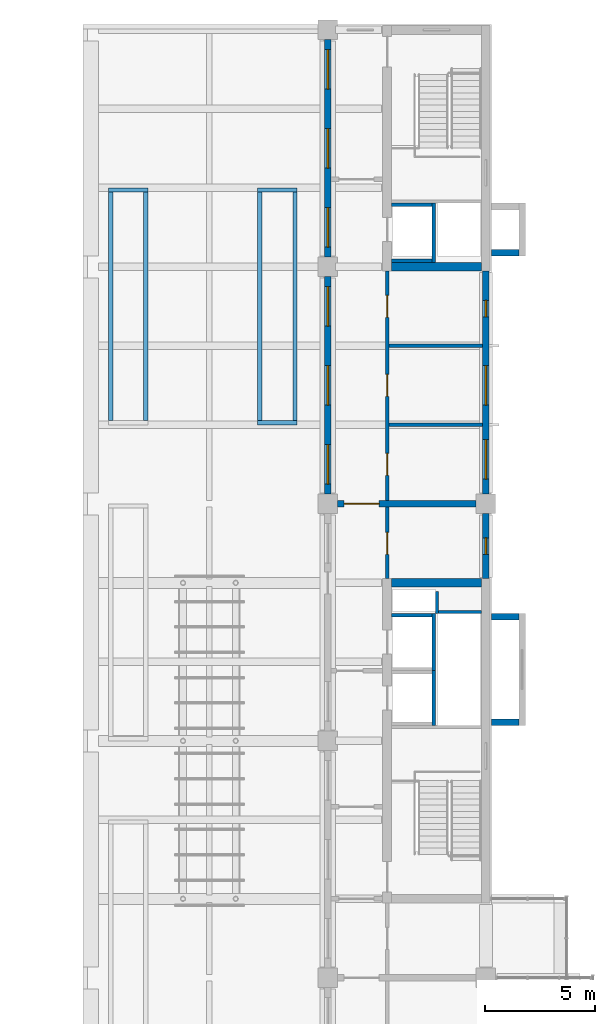
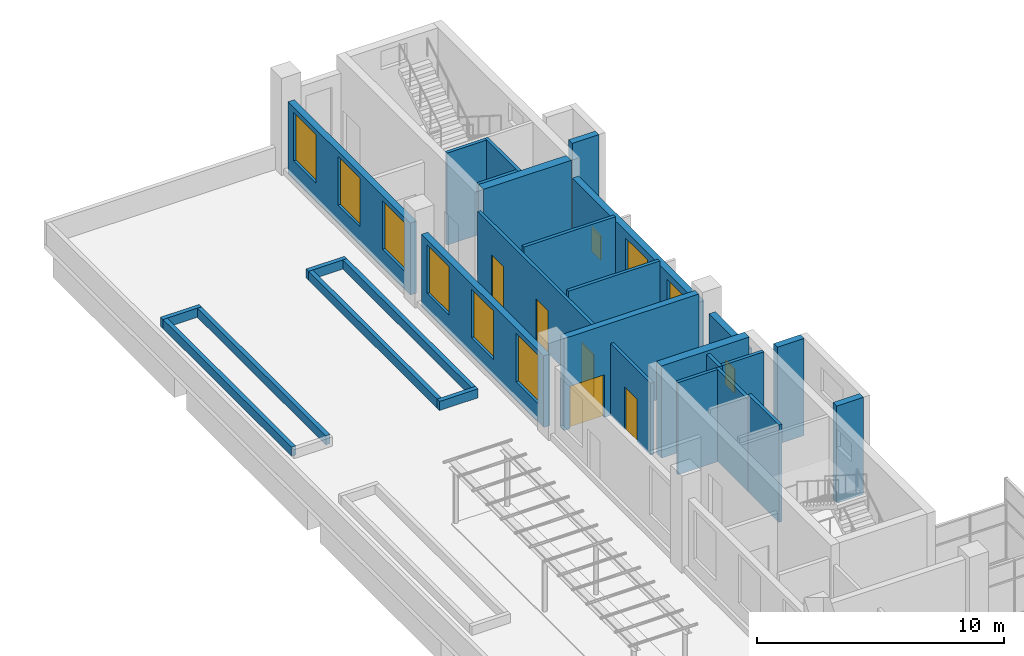
# One storey, part 27 of 32: 29 walls, 10 windows, 5 doors, 15 openings.
"""IFC4 building model written with IfcOpenShell, lengths in metres."""

from ifc_helpers import new_model, si_unit, direction, frame, frame_2d, origin, place, context, subcontext, project, spatial, rectangle, extrude, material, layer, layer_set, type_object, element, fill, save


model = new_model("IFC4")

# Units and contexts
model_context = context("Model", 3, precision=1e-05, world=origin(), true_north=direction((0.0, 1.0)))
body_context = subcontext(model_context, "Body", "Model", "MODEL_VIEW")
ifc_project = project(units=[si_unit("LENGTHUNIT", "METRE"), si_unit("AREAUNIT", "SQUARE_METRE"), si_unit("VOLUMEUNIT", "CUBIC_METRE"), si_unit("PLANEANGLEUNIT", "RADIAN"), si_unit("MASSUNIT", "GRAM", prefix="KILO")], contexts=[model_context])

# Site, building, storey
site_placement = place(None, origin())
site = spatial("IfcSite", under=ifc_project, at=site_placement, CompositionType="ELEMENT")
building_placement = place(site_placement, origin())
building = spatial("IfcBuilding", under=site, at=building_placement, Name="Basin Gate Institute", CompositionType="ELEMENT")
storey_placement = place(building_placement, frame((0.0, 0.0, 41.39990234375)))
storey = spatial("IfcBuildingStorey", under=building, at=storey_placement, Name="L08", CompositionType="ELEMENT", Elevation=41.39990234375)

# Wall, opening, window
ifc_material_1 = material(Name="Aluminium-faced insulated panel wall", Category="aluminium")
ifc_layer_1 = layer(ifc_material_1, 0.300048828125)
ifc_layer_set_1 = layer_set([ifc_layer_1], Name="External wall EW1 EI 120")
wall_type_1 = type_object("IfcWallType", Name="External wall EW1 EI 120", PredefinedType="STANDARD", material=ifc_layer_set_1)
wall_1_placement = place(storey_placement, frame((118.800048828125, 74.89990234375, 0.0), z_axis=(0.0, 0.0, 1.0), x_axis=(0.0, 1.0, 0.0)))
wall_1 = element("IfcWall", 1, at=wall_1_placement, inside=storey, type_object=wall_type_1, material=ifc_layer_set_1, Name="External wall E facade L08 1", PredefinedType="STANDARD", context=body_context, shape_type="SweptSolid", body=[
    extrude(rectangle(XDim=2.9501953125, YDim=0.300048828125, at=frame_2d((1.47509765625, 0.0))), origin(), (0.0, 0.0, 1.0), 3.650146484375),
])
opening_1_placement = place(wall_1_placement, frame((1.10009765625, 0.0, 0.800048828125)))
opening_1 = element("IfcOpeningElement", 2, at=opening_1_placement, cuts=wall_1, Name="Opening WN3", PredefinedType="OPENING", context=body_context, shape_type="SweptSolid", body=[
    extrude(rectangle(XDim=0.75, YDim=1.199951171875, at=frame_2d((0.375, 0.60009765625))), frame((0.0, 0.16015625, 0.0), z_axis=(0.0, -1.0, 0.0), x_axis=(1.0, 0.0, 0.0)), (0.0, 0.0, 1.0), 0.320068359375),
])
ifc_material_2 = material(Name="Aluminium-framed double glazing", Category="aluminium")
window_type_1 = type_object("IfcWindowType", Name="Emergency entry panel WN3", PartitioningType="SINGLE_PANEL", PredefinedType="WINDOW", material=ifc_material_2)
window_1_placement = place(opening_1_placement, origin())
window_1 = element("IfcWindow", 3, at=window_1_placement, inside=storey, type_object=window_type_1, material=ifc_material_2, Name="Emergency entry panel E facade L08 bay 12", OverallHeight=1.199951171875, OverallWidth=0.75, PartitioningType="SINGLE_PANEL", PredefinedType="WINDOW", context=body_context, shape_type="SweptSolid", body=[
    extrude(rectangle(XDim=0.75, YDim=1.199951171875, at=frame_2d((0.375, 0.60009765625))), frame((0.0, 0.030029296875, 0.0), z_axis=(0.0, -1.0, 0.0), x_axis=(1.0, 0.0, 0.0)), (0.0, 0.0, 1.0), 0.06005859375),
])
fill(opening_1, window_1)

# Wall, openings, windows
wall_2_placement = place(storey_placement, frame((118.800048828125, 78.75, 0.0), z_axis=(0.0, 0.0, 1.0), x_axis=(0.0, 1.0, 0.0)))
wall_2 = element("IfcWall", 4, at=wall_2_placement, inside=storey, type_object=wall_type_1, material=ifc_layer_set_1, Name="External wall E facade L08 2", PredefinedType="STANDARD", context=body_context, shape_type="SweptSolid", body=[
    extrude(rectangle(XDim=10.14990234375, YDim=0.300048828125, at=frame_2d((5.074951171875, 0.0))), origin(), (0.0, 0.0, 1.0), 3.650146484375),
])
opening_2_placement = place(wall_2_placement, frame((0.675048828125, 0.0, 0.89990234375)))
opening_2 = element("IfcOpeningElement", 5, at=opening_2_placement, cuts=wall_2, Name="Opening WN1", PredefinedType="OPENING", context=body_context, shape_type="SweptSolid", body=[
    extrude(rectangle(XDim=1.800048828125, YDim=2.39990234375, at=frame_2d((0.89990234375, 1.199951171875))), frame((0.0, 0.16015625, 0.0), z_axis=(0.0, -1.0, 0.0), x_axis=(1.0, 0.0, 0.0)), (0.0, 0.0, 1.0), 0.320068359375),
])
opening_3_placement = place(wall_2_placement, frame((4.050048828125, 0.0, 0.89990234375)))
opening_3 = element("IfcOpeningElement", 6, at=opening_3_placement, cuts=wall_2, Name="Opening WN1", PredefinedType="OPENING", context=body_context, shape_type="SweptSolid", body=[
    extrude(rectangle(XDim=1.800048828125, YDim=2.39990234375, at=frame_2d((0.89990234375, 1.199951171875))), frame((0.0, 0.16015625, 0.0), z_axis=(0.0, -1.0, 0.0), x_axis=(1.0, 0.0, 0.0)), (0.0, 0.0, 1.0), 0.320068359375),
])
opening_4_placement = place(wall_2_placement, frame((8.074951171875, 0.0, 0.800048828125)))
opening_4 = element("IfcOpeningElement", 7, at=opening_4_placement, cuts=wall_2, Name="Opening WN3", PredefinedType="OPENING", context=body_context, shape_type="SweptSolid", body=[
    extrude(rectangle(XDim=0.75, YDim=1.199951171875, at=frame_2d((0.375, 0.60009765625))), frame((0.0, 0.16015625, 0.0), z_axis=(0.0, -1.0, 0.0), x_axis=(1.0, 0.0, 0.0)), (0.0, 0.0, 1.0), 0.320068359375),
])
window_2_placement = place(opening_4_placement, origin())
window_2 = element("IfcWindow", 8, at=window_2_placement, inside=storey, type_object=window_type_1, material=ifc_material_2, Name="Emergency entry panel E facade L08 bay 15", OverallHeight=1.199951171875, OverallWidth=0.75, PartitioningType="SINGLE_PANEL", PredefinedType="WINDOW", context=body_context, shape_type="SweptSolid", body=[
    extrude(rectangle(XDim=0.75, YDim=1.199951171875, at=frame_2d((0.375, 0.60009765625))), frame((0.0, 0.030029296875, 0.0), z_axis=(0.0, -1.0, 0.0), x_axis=(1.0, 0.0, 0.0)), (0.0, 0.0, 1.0), 0.06005859375),
])
fill(opening_4, window_2)
ifc_material_3 = material(Name="Aluminium-framed double glazing", Category="aluminium")
window_type_2 = type_object("IfcWindowType", Name="Facade window WN1", PartitioningType="SINGLE_PANEL", PredefinedType="WINDOW", material=ifc_material_3)
window_3_placement = place(opening_2_placement, origin())
window_3 = element("IfcWindow", 9, at=window_3_placement, inside=storey, type_object=window_type_2, material=ifc_material_3, Name="Facade window E facade L08 bay 13", OverallHeight=2.39990234375, OverallWidth=1.800048828125, PartitioningType="SINGLE_PANEL", PredefinedType="WINDOW", context=body_context, shape_type="SweptSolid", body=[
    extrude(rectangle(XDim=1.800048828125, YDim=2.39990234375, at=frame_2d((0.89990234375, 1.199951171875))), frame((0.0, 0.030029296875, 0.0), z_axis=(0.0, -1.0, 0.0), x_axis=(1.0, 0.0, 0.0)), (0.0, 0.0, 1.0), 0.06005859375),
])
fill(opening_2, window_3)
window_4_placement = place(opening_3_placement, origin())
window_4 = element("IfcWindow", 10, at=window_4_placement, inside=storey, type_object=window_type_2, material=ifc_material_3, Name="Facade window E facade L08 bay 14", OverallHeight=2.39990234375, OverallWidth=1.800048828125, PartitioningType="SINGLE_PANEL", PredefinedType="WINDOW", context=body_context, shape_type="SweptSolid", body=[
    extrude(rectangle(XDim=1.800048828125, YDim=2.39990234375, at=frame_2d((0.89990234375, 1.199951171875))), frame((0.0, 0.030029296875, 0.0), z_axis=(0.0, -1.0, 0.0), x_axis=(1.0, 0.0, 0.0)), (0.0, 0.0, 1.0), 0.06005859375),
])
fill(opening_3, window_4)

wall_3_placement = place(storey_placement, frame((111.60009765625, 78.75, 0.0), z_axis=(0.0, 0.0, 1.0), x_axis=(0.0, 1.0, 0.0)))
wall_3 = element("IfcWall", 11, at=wall_3_placement, inside=storey, type_object=wall_type_1, material=ifc_layer_set_1, Name="External wall E step face L08 bay 5", PredefinedType="STANDARD", context=body_context, shape_type="SweptSolid", body=[
    extrude(rectangle(XDim=9.89990234375, YDim=0.300048828125, at=frame_2d((4.949951171875, 0.0))), origin(), (0.0, 0.0, 1.0), 3.550048828125),
])
opening_5_placement = place(wall_3_placement, frame((0.449951171875, 0.0, 0.89990234375)))
opening_5 = element("IfcOpeningElement", 12, at=opening_5_placement, cuts=wall_3, Name="Opening WN1", PredefinedType="OPENING", context=body_context, shape_type="SweptSolid", body=[
    extrude(rectangle(XDim=1.800048828125, YDim=2.39990234375, at=frame_2d((0.89990234375, 1.199951171875))), frame((0.0, 0.16015625, 0.0), z_axis=(0.0, -1.0, 0.0), x_axis=(1.0, 0.0, 0.0)), (0.0, 0.0, 1.0), 0.320068359375),
])
opening_6_placement = place(wall_3_placement, frame((4.050048828125, 0.0, 0.89990234375)))
opening_6 = element("IfcOpeningElement", 13, at=opening_6_placement, cuts=wall_3, Name="Opening WV1", PredefinedType="OPENING", context=body_context, shape_type="SweptSolid", body=[
    extrude(rectangle(XDim=1.800048828125, YDim=2.39990234375, at=frame_2d((0.89990234375, 1.199951171875))), frame((0.0, 0.16015625, 0.0), z_axis=(0.0, -1.0, 0.0), x_axis=(1.0, 0.0, 0.0)), (0.0, 0.0, 1.0), 0.320068359375),
])
opening_7_placement = place(wall_3_placement, frame((7.64990234375, 0.0, 0.89990234375)))
opening_7 = element("IfcOpeningElement", 14, at=opening_7_placement, cuts=wall_3, Name="Opening WN1", PredefinedType="OPENING", context=body_context, shape_type="SweptSolid", body=[
    extrude(rectangle(XDim=1.800048828125, YDim=2.39990234375, at=frame_2d((0.89990234375, 1.199951171875))), frame((0.0, 0.16015625, 0.0), z_axis=(0.0, -1.0, 0.0), x_axis=(1.0, 0.0, 0.0)), (0.0, 0.0, 1.0), 0.320068359375),
])
window_5_placement = place(opening_5_placement, origin())
window_5 = element("IfcWindow", 15, at=window_5_placement, inside=storey, type_object=window_type_2, material=ifc_material_3, Name="Facade window E step face L08 bay 5.1", OverallHeight=2.39990234375, OverallWidth=1.800048828125, PartitioningType="SINGLE_PANEL", PredefinedType="WINDOW", context=body_context, shape_type="SweptSolid", body=[
    extrude(rectangle(XDim=1.800048828125, YDim=2.39990234375, at=frame_2d((0.89990234375, 1.199951171875))), frame((0.0, 0.030029296875, 0.0), z_axis=(0.0, -1.0, 0.0), x_axis=(1.0, 0.0, 0.0)), (0.0, 0.0, 1.0), 0.06005859375),
])
fill(opening_5, window_5)
window_6_placement = place(opening_7_placement, origin())
window_6 = element("IfcWindow", 16, at=window_6_placement, inside=storey, type_object=window_type_2, material=ifc_material_3, Name="Facade window E step face L08 bay 5.3", OverallHeight=2.39990234375, OverallWidth=1.800048828125, PartitioningType="SINGLE_PANEL", PredefinedType="WINDOW", context=body_context, shape_type="SweptSolid", body=[
    extrude(rectangle(XDim=1.800048828125, YDim=2.39990234375, at=frame_2d((0.89990234375, 1.199951171875))), frame((0.0, 0.030029296875, 0.0), z_axis=(0.0, -1.0, 0.0), x_axis=(1.0, 0.0, 0.0)), (0.0, 0.0, 1.0), 0.06005859375),
])
fill(opening_7, window_6)
ifc_material_4 = material(Name="Aluminium louvre blades", Category="aluminium")
window_type_3 = type_object("IfcWindowType", Name="Services louvre panel WV1", PartitioningType="SINGLE_PANEL", PredefinedType="WINDOW", material=ifc_material_4)
window_7_placement = place(opening_6_placement, origin())
window_7 = element("IfcWindow", 17, at=window_7_placement, inside=storey, type_object=window_type_3, material=ifc_material_4, Name="Services louvre panel E step face L08 bay 5.2", OverallHeight=2.39990234375, OverallWidth=1.800048828125, PartitioningType="SINGLE_PANEL", PredefinedType="WINDOW", context=body_context, shape_type="SweptSolid", body=[
    extrude(rectangle(XDim=1.800048828125, YDim=2.39990234375, at=frame_2d((0.89990234375, 1.199951171875))), frame((0.0, 0.030029296875, 0.0), z_axis=(0.0, -1.0, 0.0), x_axis=(1.0, 0.0, 0.0)), (0.0, 0.0, 1.0), 0.06005859375),
])
fill(opening_6, window_7)

ifc_material_5 = material(Name="Aluminium-faced insulated panel wall", Category="aluminium")
ifc_layer_2 = layer(ifc_material_5, 0.300048828125)
ifc_layer_set_2 = layer_set([ifc_layer_2], Name="External wall EW5 EI 60")
wall_type_2 = type_object("IfcWallType", Name="External wall EW5 EI 60", PredefinedType="STANDARD", material=ifc_layer_set_2)
wall_4_placement = place(storey_placement, frame((111.60009765625, 89.550048828125, 0.0), z_axis=(0.0, 0.0, 1.0), x_axis=(0.0, 1.0, 0.0)))
wall_4 = element("IfcWall", 18, at=wall_4_placement, inside=storey, type_object=wall_type_2, material=ifc_layer_set_2, Name="External wall E step face L08 bay 6", PredefinedType="STANDARD", context=body_context, shape_type="SweptSolid", body=[
    extrude(rectangle(XDim=9.89990234375, YDim=0.300048828125, at=frame_2d((4.949951171875, 0.0))), origin(), (0.0, 0.0, 1.0), 3.550048828125),
])
opening_8_placement = place(wall_4_placement, frame((0.449951171875, 0.0, 0.89990234375)))
opening_8 = element("IfcOpeningElement", 19, at=opening_8_placement, cuts=wall_4, Name="Opening WN6", PredefinedType="OPENING", context=body_context, shape_type="SweptSolid", body=[
    extrude(rectangle(XDim=1.800048828125, YDim=2.39990234375, at=frame_2d((0.89990234375, 1.199951171875))), frame((0.0, 0.16015625, 0.0), z_axis=(0.0, -1.0, 0.0), x_axis=(1.0, 0.0, 0.0)), (0.0, 0.0, 1.0), 0.320068359375),
])
opening_9_placement = place(wall_4_placement, frame((4.050048828125, 0.0, 0.89990234375)))
opening_9 = element("IfcOpeningElement", 20, at=opening_9_placement, cuts=wall_4, Name="Opening WN6", PredefinedType="OPENING", context=body_context, shape_type="SweptSolid", body=[
    extrude(rectangle(XDim=1.800048828125, YDim=2.39990234375, at=frame_2d((0.89990234375, 1.199951171875))), frame((0.0, 0.16015625, 0.0), z_axis=(0.0, -1.0, 0.0), x_axis=(1.0, 0.0, 0.0)), (0.0, 0.0, 1.0), 0.320068359375),
])
opening_10_placement = place(wall_4_placement, frame((7.64990234375, 0.0, 0.89990234375)))
opening_10 = element("IfcOpeningElement", 21, at=opening_10_placement, cuts=wall_4, Name="Opening WN6", PredefinedType="OPENING", context=body_context, shape_type="SweptSolid", body=[
    extrude(rectangle(XDim=1.800048828125, YDim=2.39990234375, at=frame_2d((0.89990234375, 1.199951171875))), frame((0.0, 0.16015625, 0.0), z_axis=(0.0, -1.0, 0.0), x_axis=(1.0, 0.0, 0.0)), (0.0, 0.0, 1.0), 0.320068359375),
])
ifc_material_6 = material(Name="Fire-resistant glazing in steel-free frame", Category="steel")
window_type_4 = type_object("IfcWindowType", Name="Fire-rated fixed step window WN6", PartitioningType="SINGLE_PANEL", PredefinedType="WINDOW", material=ifc_material_6)
window_8_placement = place(opening_8_placement, origin())
window_8 = element("IfcWindow", 22, at=window_8_placement, inside=storey, type_object=window_type_4, material=ifc_material_6, Name="Fire-rated fixed step window E step face L08 bay 6.1", OverallHeight=2.39990234375, OverallWidth=1.800048828125, PartitioningType="SINGLE_PANEL", PredefinedType="WINDOW", context=body_context, shape_type="SweptSolid", body=[
    extrude(rectangle(XDim=1.800048828125, YDim=2.39990234375, at=frame_2d((0.89990234375, 1.199951171875))), frame((0.0, 0.030029296875, 0.0), z_axis=(0.0, -1.0, 0.0), x_axis=(1.0, 0.0, 0.0)), (0.0, 0.0, 1.0), 0.06005859375),
])
fill(opening_8, window_8)
window_9_placement = place(opening_9_placement, origin())
window_9 = element("IfcWindow", 23, at=window_9_placement, inside=storey, type_object=window_type_4, material=ifc_material_6, Name="Fire-rated fixed step window E step face L08 bay 6.2", OverallHeight=2.39990234375, OverallWidth=1.800048828125, PartitioningType="SINGLE_PANEL", PredefinedType="WINDOW", context=body_context, shape_type="SweptSolid", body=[
    extrude(rectangle(XDim=1.800048828125, YDim=2.39990234375, at=frame_2d((0.89990234375, 1.199951171875))), frame((0.0, 0.030029296875, 0.0), z_axis=(0.0, -1.0, 0.0), x_axis=(1.0, 0.0, 0.0)), (0.0, 0.0, 1.0), 0.06005859375),
])
fill(opening_9, window_9)
window_10_placement = place(opening_10_placement, origin())
window_10 = element("IfcWindow", 24, at=window_10_placement, inside=storey, type_object=window_type_4, material=ifc_material_6, Name="Fire-rated fixed step window E step face L08 bay 6.3", OverallHeight=2.39990234375, OverallWidth=1.800048828125, PartitioningType="SINGLE_PANEL", PredefinedType="WINDOW", context=body_context, shape_type="SweptSolid", body=[
    extrude(rectangle(XDim=1.800048828125, YDim=2.39990234375, at=frame_2d((0.89990234375, 1.199951171875))), frame((0.0, 0.030029296875, 0.0), z_axis=(0.0, -1.0, 0.0), x_axis=(1.0, 0.0, 0.0)), (0.0, 0.0, 1.0), 0.06005859375),
])
fill(opening_10, window_10)

# Wall, opening, door
ifc_material_7 = material(Name="Gypsum board on steel stud", Category="steel")
ifc_layer_3 = layer(ifc_material_7, 0.14990234375)
ifc_layer_set_3 = layer_set([ifc_layer_3], Name="Gypsum board on steel stud")
wall_type_3 = type_object("IfcWallType", Name="Partition PW1 150 EI 60", PredefinedType="PARTITIONING", material=ifc_layer_set_3)
wall_5_placement = place(storey_placement, frame((114.300048828125, 74.89990234375, 0.0), z_axis=(0.0, 0.0, 1.0), x_axis=(0.0, 1.0, 0.0)))
wall_5 = element("IfcWall", 25, at=wall_5_placement, inside=storey, type_object=wall_type_3, material=ifc_layer_set_3, Name="Corridor wall PW1 L08", PredefinedType="PARTITIONING", context=body_context, shape_type="SweptSolid", body=[
    extrude(rectangle(XDim=3.25, YDim=0.14990234375, at=frame_2d((1.625, 0.0))), origin(), (0.0, 0.0, 1.0), 3.550048828125),
])
opening_11_placement = place(wall_5_placement, frame((1.10009765625, 0.0, 0.0)))
opening_11 = element("IfcOpeningElement", 26, at=opening_11_placement, cuts=wall_5, Name="Opening DR370", PredefinedType="OPENING", context=body_context, shape_type="SweptSolid", body=[
    extrude(rectangle(XDim=1.0, YDim=2.10009765625, at=frame_2d((0.5, 1.050048828125))), frame((0.0, 0.0849609375, 0.0), z_axis=(0.0, -1.0, 0.0), x_axis=(1.0, 0.0, 0.0)), (0.0, 0.0, 1.0), 0.169921875),
])
ifc_material_8 = material(Name="Timber fire door", Category="wood")
door_type_1 = type_object("IfcDoorType", Name="FD30 Toilet door D3", OperationType="NOTDEFINED", PredefinedType="DOOR", material=ifc_material_8)
door_1_placement = place(opening_11_placement, frame((1.0, 0.0, 0.0), z_axis=(0.0, 0.0, 1.0), x_axis=(-1.0, 0.0, 0.0)))
door_1 = element("IfcDoor", 27, at=door_1_placement, inside=storey, type_object=door_type_1, material=ifc_material_8, Name="Door to Male WC L08", OperationType="SINGLE_SWING_RIGHT", OverallHeight=2.10009765625, OverallWidth=1.0, PredefinedType="DOOR", context=body_context, shape_type="SweptSolid", body=[
    extrude(rectangle(XDim=1.0, YDim=2.10009765625, at=frame_2d((0.5, 1.050048828125))), frame((0.0, 0.02490234375, 0.0), z_axis=(0.0, -1.0, 0.0), x_axis=(1.0, 0.0, 0.0)), (0.0, 0.0, 1.0), 0.050048828125),
])
fill(opening_11, door_1)

# Wall, openings, doors
wall_6_placement = place(storey_placement, frame((114.300048828125, 78.449951171875, 0.0), z_axis=(0.0, 0.0, 1.0), x_axis=(0.0, 1.0, 0.0)))
wall_6 = element("IfcWall", 28, at=wall_6_placement, inside=storey, type_object=wall_type_3, material=ifc_layer_set_3, Name="Corridor wall PW1 L08", PredefinedType="PARTITIONING", context=body_context, shape_type="SweptSolid", body=[
    extrude(rectangle(XDim=10.449951171875, YDim=0.14990234375, at=frame_2d((5.22509765625, 0.0))), origin(), (0.0, 0.0, 1.0), 3.550048828125),
])
opening_12_placement = place(wall_6_placement, frame((1.14990234375, 0.0, 0.0)))
opening_12 = element("IfcOpeningElement", 29, at=opening_12_placement, cuts=wall_6, Name="Opening DR368", PredefinedType="OPENING", context=body_context, shape_type="SweptSolid", body=[
    extrude(rectangle(XDim=1.0, YDim=2.10009765625, at=frame_2d((0.5, 1.050048828125))), frame((0.0, 0.0849609375, 0.0), z_axis=(0.0, -1.0, 0.0), x_axis=(1.0, 0.0, 0.0)), (0.0, 0.0, 1.0), 0.169921875),
])
opening_13_placement = place(wall_6_placement, frame((4.75, 0.0, 0.0)))
opening_13 = element("IfcOpeningElement", 30, at=opening_13_placement, cuts=wall_6, Name="Opening DR372", PredefinedType="OPENING", context=body_context, shape_type="SweptSolid", body=[
    extrude(rectangle(XDim=1.0, YDim=2.10009765625, at=frame_2d((0.5, 1.050048828125))), frame((0.0, 0.0849609375, 0.0), z_axis=(0.0, -1.0, 0.0), x_axis=(1.0, 0.0, 0.0)), (0.0, 0.0, 1.0), 0.169921875),
])
opening_14_placement = place(wall_6_placement, frame((8.35009765625, 0.0, 0.0)))
opening_14 = element("IfcOpeningElement", 31, at=opening_14_placement, cuts=wall_6, Name="Opening DR373", PredefinedType="OPENING", context=body_context, shape_type="SweptSolid", body=[
    extrude(rectangle(XDim=1.0, YDim=2.10009765625, at=frame_2d((0.5, 1.050048828125))), frame((0.0, 0.0849609375, 0.0), z_axis=(0.0, -1.0, 0.0), x_axis=(1.0, 0.0, 0.0)), (0.0, 0.0, 1.0), 0.169921875),
])
ifc_material_9 = material(Name="Timber fire door", Category="wood")
door_type_2 = type_object("IfcDoorType", Name="FD30 Office door D1", OperationType="NOTDEFINED", PredefinedType="DOOR", material=ifc_material_9)
door_2_placement = place(opening_14_placement, frame((1.0, 0.0, 0.0), z_axis=(0.0, 0.0, 1.0), x_axis=(-1.0, 0.0, 0.0)))
door_2 = element("IfcDoor", 32, at=door_2_placement, inside=storey, type_object=door_type_2, material=ifc_material_9, Name="Door to Write-up Office 0856 L08", OperationType="SINGLE_SWING_LEFT", OverallHeight=2.10009765625, OverallWidth=1.0, PredefinedType="DOOR", context=body_context, shape_type="SweptSolid", body=[
    extrude(rectangle(XDim=1.0, YDim=2.10009765625, at=frame_2d((0.5, 1.050048828125))), frame((0.0, 0.02490234375, 0.0), z_axis=(0.0, -1.0, 0.0), x_axis=(1.0, 0.0, 0.0)), (0.0, 0.0, 1.0), 0.050048828125),
])
fill(opening_14, door_2)
ifc_material_10 = material(Name="Steel fire door", Category="steel")
door_type_3 = type_object("IfcDoorType", Name="FD30 Store door D4", OperationType="NOTDEFINED", PredefinedType="DOOR", material=ifc_material_10)
door_3_placement = place(opening_13_placement, frame((1.0, 0.0, 0.0), z_axis=(0.0, 0.0, 1.0), x_axis=(-1.0, 0.0, 0.0)))
door_3 = element("IfcDoor", 33, at=door_3_placement, inside=storey, type_object=door_type_3, material=ifc_material_10, Name="Door to Tea Point L08", OperationType="SINGLE_SWING_RIGHT", OverallHeight=2.10009765625, OverallWidth=1.0, PredefinedType="DOOR", context=body_context, shape_type="SweptSolid", body=[
    extrude(rectangle(XDim=1.0, YDim=2.10009765625, at=frame_2d((0.5, 1.050048828125))), frame((0.0, 0.02490234375, 0.0), z_axis=(0.0, -1.0, 0.0), x_axis=(1.0, 0.0, 0.0)), (0.0, 0.0, 1.0), 0.050048828125),
])
fill(opening_13, door_3)
door_4_placement = place(opening_12_placement, frame((1.0, 0.0, 0.0), z_axis=(0.0, 0.0, 1.0), x_axis=(-1.0, 0.0, 0.0)))
door_4 = element("IfcDoor", 34, at=door_4_placement, inside=storey, type_object=door_type_1, material=ifc_material_8, Name="Door to Female WC L08", OperationType="SINGLE_SWING_RIGHT", OverallHeight=2.10009765625, OverallWidth=1.0, PredefinedType="DOOR", context=body_context, shape_type="SweptSolid", body=[
    extrude(rectangle(XDim=1.0, YDim=2.10009765625, at=frame_2d((0.5, 1.050048828125))), frame((0.0, 0.02490234375, 0.0), z_axis=(0.0, -1.0, 0.0), x_axis=(1.0, 0.0, 0.0)), (0.0, 0.0, 1.0), 0.050048828125),
])
fill(opening_12, door_4)

# Walls
ifc_material_11 = material(Name="Gypsum board on steel stud", Category="steel")
ifc_layer_4 = layer(ifc_material_11, 0.14990234375)
ifc_layer_set_4 = layer_set([ifc_layer_4], Name="Gypsum board on steel stud")
wall_type_4 = type_object("IfcWallType", Name="Partition PW4 150", PredefinedType="PARTITIONING", material=ifc_layer_set_4)
for number, where, z_axis, x_axis, name in (
    (35, (118.64990234375, 81.89990234375, 0.0), (0.0, 0.0, 1.0), (-1.0, 0.0, 0.0), "Toilet partition PW4 L08"),
    (36, (118.64990234375, 85.5, 0.0), (0.0, 0.0, 1.0), (-1.0, 0.0, 0.0), "Toilet partition PW4 L08"),
):
    element("IfcWall", number, at=place(storey_placement, frame(where, z_axis=z_axis, x_axis=x_axis)), inside=storey, type_object=wall_type_4, material=ifc_layer_set_4, Name=name, PredefinedType="PARTITIONING", context=body_context, shape_type="SweptSolid", body=[
        extrude(rectangle(XDim=4.27490234375, YDim=0.14990234375, at=frame_2d((2.137451171875, 0.0))), origin(), (0.0, 0.0, 1.0), 3.85009765625),
    ])
ifc_material_12 = material(Name="Concrete 40 MPa", Category="concrete")
ifc_layer_5 = layer(ifc_material_12, 0.199951171875)
ifc_layer_set_5 = layer_set([ifc_layer_5], Name="Concrete 40 MPa")
wall_type_5 = type_object("IfcWallType", Name="Planter wall PT1", PredefinedType="SOLIDWALL", material=ifc_layer_set_5)
wall_7_placement = place(storey_placement, frame((101.60009765625, 92.60009765625, 0.0), z_axis=(0.0, 0.0, 1.0), x_axis=(1.0, 0.0, 0.0)))
element("IfcWall", 37, at=wall_7_placement, inside=storey, type_object=wall_type_5, material=ifc_layer_set_5, Name="Planter wall PT1 E4", PredefinedType="SOLIDWALL", context=body_context, shape_type="SweptSolid", body=[
    extrude(rectangle(XDim=1.7998046875, YDim=0.199951171875, at=frame_2d((0.89990234375, 0.0))), origin(), (0.0, 0.0, 1.0), 0.4501953125),
])
for number, where, z_axis, x_axis, name in (
    (38, (101.699951171875, 82.10009765625, 0.0), (0.0, 0.0, 1.0), (0.0, 1.0, 0.0), "Planter wall PT1 E4"),
    (39, (103.300048828125, 82.10009765625, 0.0), (0.0, 0.0, 1.0), (0.0, 1.0, 0.0), "Planter wall PT1 E4"),
):
    element("IfcWall", number, at=place(storey_placement, frame(where, z_axis=z_axis, x_axis=x_axis)), inside=storey, type_object=wall_type_5, material=ifc_layer_set_5, Name=name, PredefinedType="SOLIDWALL", context=body_context, shape_type="SweptSolid", body=[
        extrude(rectangle(XDim=10.39990234375, YDim=0.199951171875, at=frame_2d((5.199951171875, 0.0))), origin(), (0.0, 0.0, 1.0), 0.4501953125),
    ])
for number, where, z_axis, x_axis, name in (
    (40, (108.39990234375, 82.0, 0.0), (0.0, 0.0, 1.0), (1.0, 0.0, 0.0), "Planter wall PT1 E6"),
    (41, (108.39990234375, 92.60009765625, 0.0), (0.0, 0.0, 1.0), (1.0, 0.0, 0.0), "Planter wall PT1 E6"),
):
    element("IfcWall", number, at=place(storey_placement, frame(where, z_axis=z_axis, x_axis=x_axis)), inside=storey, type_object=wall_type_5, material=ifc_layer_set_5, Name=name, PredefinedType="SOLIDWALL", context=body_context, shape_type="SweptSolid", body=[
        extrude(rectangle(XDim=1.800048828125, YDim=0.199951171875, at=frame_2d((0.89990234375, 0.0))), origin(), (0.0, 0.0, 1.0), 0.4501953125),
    ])
for number, where, z_axis, x_axis, name in (
    (42, (108.5, 82.10009765625, 0.0), (0.0, 0.0, 1.0), (0.0, 1.0, 0.0), "Planter wall PT1 E6"),
    (43, (110.10009765625, 82.10009765625, 0.0), (0.0, 0.0, 1.0), (0.0, 1.0, 0.0), "Planter wall PT1 E6"),
):
    element("IfcWall", number, at=place(storey_placement, frame(where, z_axis=z_axis, x_axis=x_axis)), inside=storey, type_object=wall_type_5, material=ifc_layer_set_5, Name=name, PredefinedType="SOLIDWALL", context=body_context, shape_type="SweptSolid", body=[
        extrude(rectangle(XDim=10.39990234375, YDim=0.199951171875, at=frame_2d((5.199951171875, 0.0))), origin(), (0.0, 0.0, 1.0), 0.4501953125),
    ])
ifc_material_13 = material(Name="Concrete 40 MPa", Category="concrete")
ifc_layer_6 = layer(ifc_material_13, 0.14990234375)
ifc_layer_set_6 = layer_set([ifc_layer_6], Name="Concrete 40 MPa")
wall_type_6 = type_object("IfcWallType", Name="Wall LS1 lift shaft enclosure R120", PredefinedType="SOLIDWALL", material=ifc_layer_set_6)
wall_8_placement = place(storey_placement, frame((116.425048828125, 68.199951171875, 0.0), z_axis=(0.0, 0.0, 1.0), x_axis=(0.0, 1.0, 0.0)))
element("IfcWall", 44, at=wall_8_placement, inside=storey, type_object=wall_type_6, material=ifc_layer_set_6, Name="Lift shaft enclosure LF2 L08 UL", PredefinedType="SOLIDWALL", context=body_context, shape_type="SweptSolid", body=[
    extrude(rectangle(XDim=2.5, YDim=0.14990234375, at=frame_2d((1.25, 0.0))), origin(), (0.0, 0.0, 1.0), 4.800048828125),
])
wall_9_placement = place(storey_placement, frame((116.425048828125, 70.699951171875, 0.0), z_axis=(0.0, 0.0, 1.0), x_axis=(0.0, 1.0, 0.0)))
element("IfcWall", 45, at=wall_9_placement, inside=storey, type_object=wall_type_6, material=ifc_layer_set_6, Name="Lift shaft enclosure LP5 L08 UL", PredefinedType="SOLIDWALL", context=body_context, shape_type="SweptSolid", body=[
    extrude(rectangle(XDim=2.60009765625, YDim=0.14990234375, at=frame_2d((1.300048828125, 0.0))), origin(), (0.0, 0.0, 1.0), 4.550048828125),
])
wall_10_placement = place(storey_placement, frame((116.35009765625, 73.22509765625, 0.0), z_axis=(0.0, 0.0, 1.0), x_axis=(-1.0, 0.0, 0.0)))
element("IfcWall", 46, at=wall_10_placement, inside=storey, type_object=wall_type_6, material=ifc_layer_set_6, Name="Lift shaft enclosure LP5 L08 RH", PredefinedType="SOLIDWALL", context=body_context, shape_type="SweptSolid", body=[
    extrude(rectangle(XDim=1.85009765625, YDim=0.14990234375, at=frame_2d((0.925048828125, 0.0))), origin(), (0.0, 0.0, 1.0), 4.550048828125),
])
wall_11_placement = place(storey_placement, frame((116.425048828125, 92.0, 0.0), z_axis=(0.0, 0.0, 1.0), x_axis=(0.0, -1.0, 0.0)))
element("IfcWall", 47, at=wall_11_placement, inside=storey, type_object=wall_type_6, material=ifc_layer_set_6, Name="Lift shaft enclosure LP6 L08 UL", PredefinedType="SOLIDWALL", context=body_context, shape_type="SweptSolid", body=[
    extrude(rectangle(XDim=2.699951171875, YDim=0.14990234375, at=frame_2d((1.35009765625, 0.0))), origin(), (0.0, 0.0, 1.0), 4.550048828125),
])
for number, where, z_axis, x_axis, name in (
    (48, (116.35009765625, 91.925048828125, 0.0), (0.0, 0.0, 1.0), (-1.0, 0.0, 0.0), "Lift shaft enclosure LP6 L08 RL"),
    (49, (116.35009765625, 89.375, 0.0), (0.0, 0.0, 1.0), (-1.0, 0.0, 0.0), "Lift shaft enclosure LP6 L08 RH"),
):
    element("IfcWall", number, at=place(storey_placement, frame(where, z_axis=z_axis, x_axis=x_axis)), inside=storey, type_object=wall_type_6, material=ifc_layer_set_6, Name=name, PredefinedType="SOLIDWALL", context=body_context, shape_type="SweptSolid", body=[
        extrude(rectangle(XDim=1.85009765625, YDim=0.14990234375, at=frame_2d((0.925048828125, 0.0))), origin(), (0.0, 0.0, 1.0), 4.550048828125),
    ])
ifc_material_14 = material(Name="Concrete 40 MPa", Category="concrete")
ifc_layer_7 = layer(ifc_material_14, 0.14990234375)
ifc_layer_set_7 = layer_set([ifc_layer_7], Name="Concrete 40 MPa")
wall_type_7 = type_object("IfcWallType", Name="Wall RS1 riser shaft enclosure R120", PredefinedType="SOLIDWALL", material=ifc_layer_set_7)
wall_12_placement = place(storey_placement, frame((118.60009765625, 73.375, 0.0), z_axis=(0.0, 0.0, 1.0), x_axis=(-1.0, 0.0, 0.0)))
element("IfcWall", 50, at=wall_12_placement, inside=storey, type_object=wall_type_7, material=ifc_layer_set_7, Name="Riser shaft enclosure EM L08 N", PredefinedType="SOLIDWALL", context=body_context, shape_type="SweptSolid", body=[
    extrude(rectangle(XDim=1.9501953125, YDim=0.14990234375, at=frame_2d((0.97509765625, 0.0))), origin(), (0.0, 0.0, 1.0), 4.550048828125),
])
wall_13_placement = place(storey_placement, frame((116.574951171875, 73.300048828125, 0.0), z_axis=(0.0, 0.0, 1.0), x_axis=(0.0, 1.0, 0.0)))
element("IfcWall", 51, at=wall_13_placement, inside=storey, type_object=wall_type_7, material=ifc_layer_set_7, Name="Riser shaft enclosure EM L08 W", PredefinedType="SOLIDWALL", context=body_context, shape_type="SweptSolid", body=[
    extrude(rectangle(XDim=1.0, YDim=0.14990234375, at=frame_2d((0.5, 0.0))), origin(), (0.0, 0.0, 1.0), 4.550048828125),
])
ifc_material_15 = material(Name="Concrete 50 MPa", Category="concrete")
ifc_layer_8 = layer(ifc_material_15, 0.300048828125)
ifc_layer_set_8 = layer_set([ifc_layer_8], Name="Concrete 50 MPa")
wall_type_8 = type_object("IfcWallType", Name="Wall SK1 R120", PredefinedType="SHEAR", material=ifc_layer_set_8)
for number, where, z_axis, x_axis, name in (
    (52, (119.050048828125, 68.35009765625, 0.0), (0.0, 0.0, 1.0), (1.0, 0.0, 0.0), "Spine riser stack wall SK1 EM A L08"),
    (53, (119.050048828125, 73.14990234375, 0.0), (0.0, 0.0, 1.0), (1.0, 0.0, 0.0), "Spine riser stack wall SK1 EM B L08"),
    (54, (119.050048828125, 89.75, 0.0), (0.0, 0.0, 1.0), (1.0, 0.0, 0.0), "Spine riser stack wall SK1 EN A L08"),
):
    element("IfcWall", number, at=place(storey_placement, frame(where, z_axis=z_axis, x_axis=x_axis)), inside=storey, type_object=wall_type_8, material=ifc_layer_set_8, Name=name, PredefinedType="SHEAR", context=body_context, shape_type="SweptSolid", body=[
        extrude(rectangle(XDim=1.25, YDim=0.300048828125, at=frame_2d((0.625, 0.0))), origin(), (0.0, 0.0, 1.0), 4.800048828125),
    ])
ifc_material_16 = material(Name="Concrete 50 MPa", Category="concrete")
ifc_layer_9 = layer(ifc_material_16, 0.39990234375)
ifc_layer_set_9 = layer_set([ifc_layer_9], Name="Concrete 50 MPa")
wall_type_9 = type_object("IfcWallType", Name="Wall SW2 R120", PredefinedType="SHEAR", material=ifc_layer_set_9)
for number, where, z_axis, x_axis, name in (
    (55, (118.60009765625, 74.699951171875, 0.0), (0.0, 0.0, 1.0), (-1.0, 0.0, 0.0), "WALL/L08/EM/N"),
    (56, (118.60009765625, 89.10009765625, 0.0), (0.0, 0.0, 1.0), (-1.0, 0.0, 0.0), "WALL/L08/EN/S"),
):
    element("IfcWall", number, at=place(storey_placement, frame(where, z_axis=z_axis, x_axis=x_axis)), inside=storey, type_object=wall_type_9, material=ifc_layer_set_9, Name=name, PredefinedType="SHEAR", context=body_context, shape_type="SweptSolid", body=[
        extrude(rectangle(XDim=4.10009765625, YDim=0.39990234375, at=frame_2d((2.050048828125, 0.0))), origin(), (0.0, 0.0, 1.0), 4.550048828125),
    ])

# Wall, opening, door
ifc_material_17 = material(Name="Concrete 50 MPa", Category="concrete")
ifc_layer_10 = layer(ifc_material_17, 0.300048828125)
ifc_layer_set_10 = layer_set([ifc_layer_10], Name="Concrete 50 MPa")
wall_type_10 = type_object("IfcWallType", Name="Wall XW1 R120", PredefinedType="SHEAR", material=ifc_layer_set_10)
wall_14_placement = place(storey_placement, frame((118.35009765625, 78.300048828125, 0.0), z_axis=(0.0, 0.0, 1.0), x_axis=(-1.0, 0.0, 0.0)))
wall_14 = element("IfcWall", 57, at=wall_14_placement, inside=storey, type_object=wall_type_10, material=ifc_layer_set_10, Name="WALL/L08/EXE/1", PredefinedType="SHEAR", context=body_context, shape_type="SweptSolid", body=[
    extrude(rectangle(XDim=6.300048828125, YDim=0.300048828125, at=frame_2d((3.14990234375, 0.0))), origin(), (0.0, 0.0, 1.0), 4.550048828125),
])
opening_15_placement = place(wall_14_placement, frame((4.41259765625, 0.0, 0.0)))
opening_15 = element("IfcOpeningElement", 58, at=opening_15_placement, cuts=wall_14, Name="Opening DR380", PredefinedType="OPENING", context=body_context, shape_type="SweptSolid", body=[
    extrude(rectangle(XDim=1.60009765625, YDim=2.10009765625, at=frame_2d((0.800048828125, 1.050048828125))), frame((0.0, 0.16015625, 0.0), z_axis=(0.0, -1.0, 0.0), x_axis=(1.0, 0.0, 0.0)), (0.0, 0.0, 1.0), 0.320068359375),
])
ifc_material_18 = material(Name="Steel fire door", Category="steel")
door_type_4 = type_object("IfcDoorType", Name="FD60 Compartment door pair D7", OperationType="DOUBLE_DOOR_SINGLE_SWING", PredefinedType="DOOR", material=ifc_material_18)
door_5_placement = place(opening_15_placement, origin())
door_5 = element("IfcDoor", 59, at=door_5_placement, inside=storey, type_object=door_type_4, material=ifc_material_18, Name="Compartment door pair L08 E2 L08", OperationType="DOUBLE_DOOR_SINGLE_SWING", OverallHeight=2.10009765625, OverallWidth=1.60009765625, PredefinedType="DOOR", context=body_context, shape_type="SweptSolid", body=[
    extrude(rectangle(XDim=1.60009765625, YDim=2.10009765625, at=frame_2d((0.800048828125, 1.050048828125))), frame((0.0, 0.02490234375, 0.0), z_axis=(0.0, -1.0, 0.0), x_axis=(1.0, 0.0, 0.0)), (0.0, 0.0, 1.0), 0.050048828125),
])
fill(opening_15, door_5)

save(model, "model.ifc")
